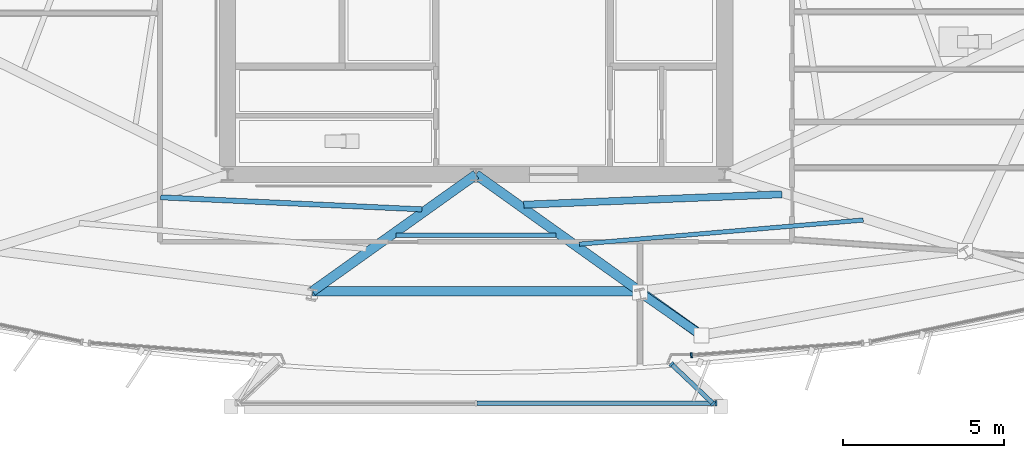
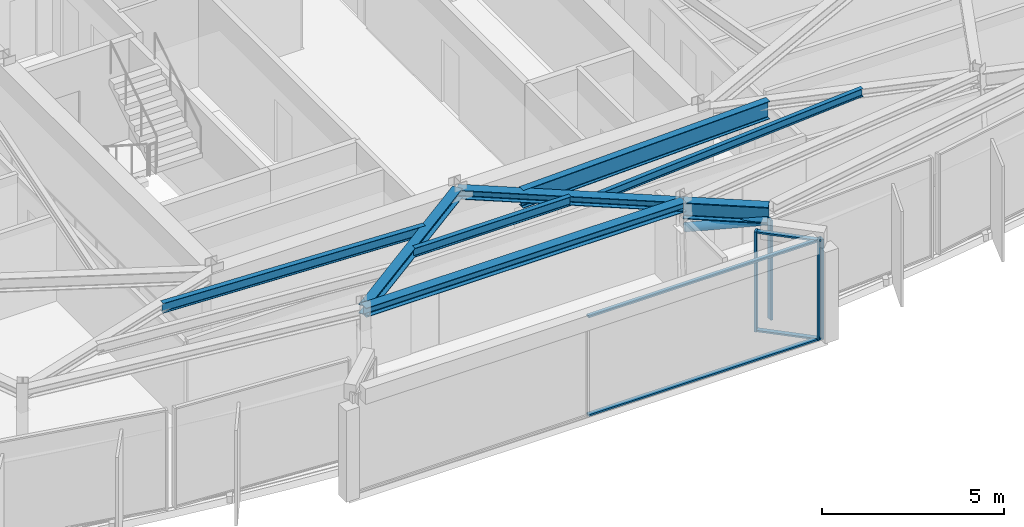
# One storey, part 3 of 13: 9 members, 8 beams, 3 elements without a shape of their own.
"""IFC4 building model written with IfcOpenShell, lengths in metres."""

import ifcopenshell
import ifcopenshell.guid

model = None  # the IFC model being written
_history = None  # IfcOwnerHistory: only IFC2X3 demands one
_inside = {}  # id of a spatial element -> (the spatial element, [elements in it])
_under = {}  # id of a project, library or spatial element -> (it, [spatial elements below it])
_declared = {}  # id of a project -> (the project, [libraries it declares])
_typed = {}  # id of a type object -> (the type object, [elements of that type])
_made_of = {}  # id of a material, layer set ... -> (it, [elements and type objects made of it])


def new_model(schema):
    """Start an empty IFC model of exactly this schema.

    Asked for "IFC4X3", IfcOpenShell would pick the latest addendum, in which some entities
    have other attributes; the version numbers below select the first issue.
    IFC2X3 requires an IfcOwnerHistory on every rooted entity: one is made here for all.
    """
    global model, _history
    if schema == "IFC4X3":
        model = ifcopenshell.file(schema_version=(4, 3, 0, 0))
    else:
        model = ifcopenshell.file(schema=schema)
    _inside.clear()
    _under.clear()
    _declared.clear()
    _typed.clear()
    _made_of.clear()
    _history = None
    if model.schema == "IFC2X3":
        org = make("IfcOrganization", Name="unknown")
        user = make(
            "IfcPersonAndOrganization",
            ThePerson=make("IfcPerson", FamilyName="unknown"),
            TheOrganization=org,
        )
        app = make(
            "IfcApplication",
            ApplicationDeveloper=org,
            Version="unknown",
            ApplicationFullName="unknown",
            ApplicationIdentifier="unknown",
        )
        _history = make(
            "IfcOwnerHistory",
            OwningUser=user,
            OwningApplication=app,
            ChangeAction="ADDED",
            CreationDate=0,
        )
    return model


def make(cls, **values):
    """One entity of the class cls with the attributes given. An attribute that is None is left unset."""
    return model.create_entity(
        cls, **{name: value for name, value in values.items() if value is not None}
    )


def rooted(cls, **values):
    """An entity with a GlobalId (a new one), such as an element, a storey or a relation."""
    return make(cls, GlobalId=ifcopenshell.guid.new(), OwnerHistory=_history, **values)


def si_unit(unit_type, name, prefix=None):
    """IfcSIUnit, for example si_unit("LENGTHUNIT", "METRE", prefix="MILLI")."""
    return make("IfcSIUnit", UnitType=unit_type, Prefix=prefix, Name=name)


def assignment(units):
    """IfcUnitAssignment: the units of a project."""
    return None if units is None else make("IfcUnitAssignment", Units=units)


def point(xyz):
    """IfcCartesianPoint."""
    return None if xyz is None else make("IfcCartesianPoint", Coordinates=xyz)


def direction(xyz):
    """IfcDirection."""
    return None if xyz is None else make("IfcDirection", DirectionRatios=xyz)


def frame(location, z_axis=None, x_axis=None):
    """IfcAxis2Placement3D, a coordinate frame: its origin and axes. An axis left out is left unset."""
    return make(
        "IfcAxis2Placement3D",
        Location=point(location),
        Axis=direction(z_axis),
        RefDirection=direction(x_axis),
    )


def frame_2d(location, x_axis=None):
    """IfcAxis2Placement2D, a coordinate frame in the plane: its origin and x axis."""
    return make(
        "IfcAxis2Placement2D", Location=point(location), RefDirection=direction(x_axis)
    )


def origin():
    """The frame at (0, 0, 0) with its axes left unset."""
    return frame((0.0, 0.0, 0.0))


def origin_2d():
    """The frame at (0, 0) in the plane with its x axis left unset."""
    return frame_2d((0.0, 0.0))


def place(relative_to, where):
    """IfcLocalPlacement: puts the frame where relative to a parent placement (None: the world)."""
    return make(
        "IfcLocalPlacement", PlacementRelTo=relative_to, RelativePlacement=where
    )


def context(
    kind, dimensions, precision=None, world=None, true_north=None, identifier=None
):
    """IfcGeometricRepresentationContext, for example the 3D "Model" context."""
    return make(
        "IfcGeometricRepresentationContext",
        ContextIdentifier=identifier,
        ContextType=kind,
        CoordinateSpaceDimension=dimensions,
        Precision=precision,
        WorldCoordinateSystem=world,
        TrueNorth=true_north,
    )


def subcontext(parent, identifier, kind, view, scale=None):
    """IfcGeometricRepresentationSubContext, for example "Body" below "Model"."""
    return make(
        "IfcGeometricRepresentationSubContext",
        ContextIdentifier=identifier,
        ContextType=kind,
        ParentContext=parent,
        TargetScale=scale,
        TargetView=view,
    )


def project(units=None, contexts=None):
    """IfcProject with its units and contexts."""
    return rooted(
        "IfcProject",
        Name="project",
        RepresentationContexts=contexts,
        UnitsInContext=assignment(units),
    )


def spatial(cls, under=None, at=None, **own):
    """A site, building, storey or space (cls), placed at a placement, below another one or the project."""
    s = rooted(cls, ObjectPlacement=at, **own)
    if under is not None:
        _under.setdefault(under.id(), (under, []))[1].append(s)
    return s


def profile(cls, at=None, kind="AREA", **sizes):
    """A parametric profile (cls). Its sizes go by their IFC names, for example OverallWidth=200.0."""
    return make(cls, ProfileType=kind, Position=at, **sizes)


def rectangle(**sizes):
    """IfcRectangleProfileDef."""
    return profile("IfcRectangleProfileDef", **sizes)


def hollow_circle(**sizes):
    """IfcCircleHollowProfileDef."""
    return profile("IfcCircleHollowProfileDef", **sizes)


def i_section(**sizes):
    """IfcIShapeProfileDef."""
    return profile("IfcIShapeProfileDef", **sizes)


def extrude(swept, where, along, depth):
    """IfcExtrudedAreaSolid: the profile swept, set in the frame where, extruded along a direction by depth."""
    return make(
        "IfcExtrudedAreaSolid",
        SweptArea=swept,
        Position=where,
        ExtrudedDirection=direction(along),
        Depth=depth,
    )


def shape(context_of_items, identifier, shape_type, items):
    """IfcShapeRepresentation: the items that make up one representation, for example the "Body"."""
    return make(
        "IfcShapeRepresentation",
        ContextOfItems=context_of_items,
        RepresentationIdentifier=identifier,
        RepresentationType=shape_type,
        Items=items,
    )


def material(Name=None, Category=None):
    """IfcMaterial."""
    return make("IfcMaterial", Name=Name, Category=Category)


def material_profile(
    of_material, cross_section, Name=None, Category=None, Priority=None
):
    """IfcMaterialProfile: a cross section and its material."""
    return make(
        "IfcMaterialProfile",
        Name=Name,
        Material=of_material,
        Profile=cross_section,
        Priority=Priority,
        Category=Category,
    )


def profile_set(profiles, Name=None, composite=None):
    """IfcMaterialProfileSet."""
    return make(
        "IfcMaterialProfileSet",
        Name=Name,
        MaterialProfiles=profiles,
        CompositeProfile=composite,
    )


def made_of(thing, what):
    """Note that an element or type object is made of a material, layer set ...; save() writes the relation."""
    if what is not None:
        _made_of.setdefault(what.id(), (what, []))[1].append(thing)
    return thing


def type_object(cls, material=None, **own):
    """A type object (cls), such as IfcWallType, which elements share."""
    return made_of(rooted(cls, **own), material)


def element(
    cls,
    number,
    at=None,
    inside=None,
    cuts=None,
    type_object=None,
    material=None,
    context=None,
    identifier="Body",
    shape_type=None,
    held_by="IfcProductDefinitionShape",
    body=None,
    shapes=None,
    **own,
):
    """One element of the class cls, such as IfcWall. Its Tag is "e" and its number.

    at: its placement. inside: the storey or other place that contains it. cuts: it is an
    opening in that element (IfcRelVoidsElement). A single representation is given by context,
    identifier, shape_type and body (its items); several are given by shapes. held_by: the class
    of the entity that holds the representations. save() writes the other relations.
    """
    e = rooted(cls, Tag="e%d" % number, ObjectPlacement=at, **own)
    if body is not None:
        shapes = [shape(context, identifier, shape_type, body)]
    if shapes is not None:
        e.Representation = make(held_by, Representations=shapes)
    if inside is not None:
        _inside.setdefault(inside.id(), (inside, []))[1].append(e)
    if cuts is not None:
        rooted(
            "IfcRelVoidsElement", RelatingBuildingElement=cuts, RelatedOpeningElement=e
        )
    if type_object is not None:
        _typed.setdefault(type_object.id(), (type_object, []))[1].append(e)
    return made_of(e, material)


def aggregate(whole, parts):
    """IfcRelAggregates: a whole, such as a stair, and the parts it consists of."""
    return rooted("IfcRelAggregates", RelatingObject=whole, RelatedObjects=parts)


def save(model, path):
    """Write the relations noted so far, then the file.

    IfcRelAggregates (storeys below a building ...), IfcRelContainedInSpatialStructure (elements
    in a storey), IfcRelDefinesByType, IfcRelAssociatesMaterial and IfcRelDeclares: one each for
    every whole, place, type object, material and project.
    """
    for whole, parts in _under.values():
        aggregate(whole, parts)
    for where, things in _inside.values():
        rooted(
            "IfcRelContainedInSpatialStructure",
            RelatedElements=things,
            RelatingStructure=where,
        )
    for kind, things in _typed.values():
        rooted("IfcRelDefinesByType", RelatedObjects=things, RelatingType=kind)
    for what, things in _made_of.values():
        rooted("IfcRelAssociatesMaterial", RelatedObjects=things, RelatingMaterial=what)
    for by, libraries in _declared.values():
        rooted("IfcRelDeclares", RelatingContext=by, RelatedDefinitions=libraries)
    model.write(path)


model = new_model("IFC4")

# Units and contexts
model_context = context("Model", 3, precision=1e-05, world=origin(), true_north=direction((0.0, 1.0)))
body_context = subcontext(model_context, "Body", "Model", "MODEL_VIEW")
ifc_project = project(units=[si_unit("LENGTHUNIT", "METRE"), si_unit("AREAUNIT", "SQUARE_METRE"), si_unit("VOLUMEUNIT", "CUBIC_METRE"), si_unit("PLANEANGLEUNIT", "RADIAN"), si_unit("MASSUNIT", "GRAM", prefix="KILO")], contexts=[model_context])

# Site, building, storey
site_placement = place(None, origin())
site = spatial("IfcSite", under=ifc_project, at=site_placement, CompositionType="ELEMENT")
building_placement = place(site_placement, origin())
building = spatial("IfcBuilding", under=site, at=building_placement, Name="Savorim Split Tower", CompositionType="ELEMENT")
storey_placement = place(building_placement, frame((0.0, 0.0, 286.800048828125)))
storey = spatial("IfcBuildingStorey", under=building, at=storey_placement, Name="L76", CompositionType="ELEMENT", Elevation=286.800048828125)

# Beams
ifc_material_1 = material(Name="Steel S355", Category="steel")
ifc_material_profile_1 = material_profile(ifc_material_1, i_section(OverallWidth=0.135009765625, OverallDepth=0.27001953125, WebThickness=0.006591796875, FlangeThickness=0.01025390625, FilletRadius=0.014892578125, at=origin_2d()), Name="IPE 270")
ifc_profile_set_1 = profile_set([ifc_material_profile_1], Name="Steel S355")
beam_type_1 = type_object("IfcBeamType", Name="BM-JST-IPE270", PredefinedType="JOIST", material=ifc_profile_set_1)
beam_1_placement = place(storey_placement, frame((3.1982421875, -11.553466796875, 3.21484375), z_axis=(0.996409293494, 0.084667111911, 0.0), x_axis=(-0.084667111911, 0.996409293494, 0.0)))
element("IfcBeam", 1, at=beam_1_placement, inside=storey, type_object=beam_type_1, Name="L76 Secondary Floor Joist JS-04", PredefinedType="JOIST", context=body_context, shape_type="SweptSolid", body=[
    extrude(i_section(OverallWidth=0.135009765625, OverallDepth=0.27001953125, WebThickness=0.006591796875, FlangeThickness=0.01025390625, FilletRadius=0.014892578125, at=origin_2d()), origin(), (0.0, 0.0, 1.0), 8.82080078125),
])
ifc_material_profile_2 = material_profile(ifc_material_1, i_section(OverallWidth=0.14990234375, OverallDepth=0.300048828125, WebThickness=0.007080078125, FlangeThickness=0.0107421875, FilletRadius=0.014892578125, at=origin_2d()), Name="IPE 300")
ifc_profile_set_2 = profile_set([ifc_material_profile_2], Name="Steel S355")
beam_type_2 = type_object("IfcBeamType", Name="BM-JST-IPE300", PredefinedType="JOIST", material=ifc_profile_set_2)
beam_2_placement = place(storey_placement, frame((-2.4736328125, -11.278076171875, 3.199951171875), z_axis=(1.0, 0.0, 0.0), x_axis=(0.0, 1.0, 0.0)))
element("IfcBeam", 2, at=beam_2_placement, inside=storey, type_object=beam_type_2, Name="L76 Secondary Floor Joist JS-03", PredefinedType="JOIST", context=body_context, shape_type="SweptSolid", body=[
    extrude(i_section(OverallWidth=0.14990234375, OverallDepth=0.300048828125, WebThickness=0.007080078125, FlangeThickness=0.0107421875, FilletRadius=0.014892578125, at=origin_2d()), origin(), (0.0, 0.0, 1.0), 4.947265625),
])
ifc_material_profile_3 = material_profile(ifc_material_1, i_section(OverallWidth=0.159912109375, OverallDepth=0.330078125, WebThickness=0.007568359375, FlangeThickness=0.011474609375, FilletRadius=0.01806640625, at=origin_2d()), Name="IPE 330")
ifc_profile_set_3 = profile_set([ifc_material_profile_3], Name="Steel S355")
beam_type_3 = type_object("IfcBeamType", Name="BM-JST-IPE330", PredefinedType="JOIST", material=ifc_profile_set_3)
beam_3_placement = place(storey_placement, frame((-9.763671875, -10.10400390625, 3.18505859375), z_axis=(0.998942628967, -0.045974167015, 0.0), x_axis=(0.045974167015, 0.998942628967, 0.0)))
element("IfcBeam", 3, at=beam_3_placement, inside=storey, type_object=beam_type_3, Name="L76 Secondary Floor Joist JS-02", PredefinedType="JOIST", context=body_context, shape_type="SweptSolid", body=[
    extrude(i_section(OverallWidth=0.159912109375, OverallDepth=0.330078125, WebThickness=0.007568359375, FlangeThickness=0.011474609375, FilletRadius=0.01806640625, at=origin_2d()), origin(), (0.0, 0.0, 1.0), 8.093017578125),
])
ifc_material_profile_4 = material_profile(ifc_material_1, i_section(OverallWidth=0.219970703125, OverallDepth=0.60009765625, WebThickness=0.011962890625, FlangeThickness=0.01904296875, FilletRadius=0.02392578125, at=origin_2d()), Name="IPE 600")
ifc_profile_set_4 = profile_set([ifc_material_profile_4], Name="Steel S355")
beam_type_4 = type_object("IfcBeamType", Name="BM-JST-IPE600", PredefinedType="JOIST", material=ifc_profile_set_4)
beam_4_placement = place(storey_placement, frame((1.476806640625, -10.33251953125, 3.050048828125), z_axis=(0.999187638231, 0.040299672527, 0.0), x_axis=(-0.040299672527, 0.999187638231, 0.0)))
element("IfcBeam", 4, at=beam_4_placement, inside=storey, type_object=beam_type_4, Name="L76 Secondary Floor Joist JS-05", PredefinedType="JOIST", context=body_context, shape_type="SweptSolid", body=[
    extrude(i_section(OverallWidth=0.219970703125, OverallDepth=0.60009765625, WebThickness=0.011962890625, FlangeThickness=0.01904296875, FilletRadius=0.02392578125, at=origin_2d()), origin(), (0.0, 0.0, 1.0), 7.996826171875),
])
ifc_material_profile_5 = material_profile(ifc_material_1, i_section(OverallWidth=0.300048828125, OverallDepth=0.300048828125, WebThickness=0.010986328125, FlangeThickness=0.01904296875, FilletRadius=0.027099609375, at=origin_2d()), Name="HEB 300")
ifc_profile_set_5 = profile_set([ifc_material_profile_5], Name="Steel S355")
beam_type_5 = type_object("IfcBeamType", Name="BM-PRI-HEB300", PredefinedType="BEAM", material=ifc_profile_set_5)
for number, where, z_axis, x_axis, name in (
    (5, (-5.064697265625, -13.01171875, 3.199951171875), (0.814176088086, 0.580618030713, 0.0), (-0.580618030713, 0.814176088086, 0.0), "L76 Primary Floor Girder RG-02"),
    (6, (5.064697265625, -13.01171875, 3.199951171875), (-0.814176088086, 0.580618030713, 0.0), (-0.580618030713, -0.814176088086, 0.0), "L76 Primary Floor Girder RG-03"),
):
    element("IfcBeam", number, at=place(storey_placement, frame(where, z_axis=z_axis, x_axis=x_axis)), inside=storey, type_object=beam_type_5, Name=name, PredefinedType="BEAM", context=body_context, shape_type="SweptSolid", body=[
        extrude(i_section(OverallWidth=0.300048828125, OverallDepth=0.300048828125, WebThickness=0.010986328125, FlangeThickness=0.01904296875, FilletRadius=0.027099609375, at=origin_2d()), origin(), (0.0, 0.0, 1.0), 6.220703125),
    ])
ifc_material_profile_6 = material_profile(ifc_material_1, i_section(OverallWidth=0.300048828125, OverallDepth=0.550048828125, WebThickness=0.014892578125, FlangeThickness=0.029052734375, FilletRadius=0.027099609375, at=origin_2d()), Name="HEB 550")
ifc_profile_set_6 = profile_set([ifc_material_profile_6], Name="Steel S355")
beam_type_6 = type_object("IfcBeamType", Name="BM-PRI-HEB550", PredefinedType="BEAM", material=ifc_profile_set_6)
beam_5_placement = place(storey_placement, frame((5.064697265625, -13.01171875, 3.074951171875), z_axis=(0.814133420523, -0.580677856981, 0.0), x_axis=(0.580677856981, 0.814133420523, 0.0)))
element("IfcBeam", 7, at=beam_5_placement, inside=storey, type_object=beam_type_6, Name="L76 Cantilevered Lounge Rib 1", PredefinedType="BEAM", context=body_context, shape_type="SweptSolid", body=[
    extrude(i_section(OverallWidth=0.300048828125, OverallDepth=0.550048828125, WebThickness=0.014892578125, FlangeThickness=0.029052734375, FilletRadius=0.027099609375, at=origin_2d()), origin(), (0.0, 0.0, 1.0), 2.349853515625),
])
ifc_material_profile_7 = material_profile(ifc_material_1, i_section(OverallWidth=0.300048828125, OverallDepth=0.31005859375, WebThickness=0.009033203125, FlangeThickness=0.015380859375, FilletRadius=0.027099609375, at=origin_2d()), Name="HEA 320")
ifc_profile_set_7 = profile_set([ifc_material_profile_7], Name="Steel S355")
beam_type_7 = type_object("IfcBeamType", Name="BM-SPN-HEA320", PredefinedType="SPANDREL", material=ifc_profile_set_7)
beam_6_placement = place(storey_placement, frame((-5.064697265625, -13.01171875, 3.195068359375), z_axis=(1.0, 0.0, 0.0), x_axis=(0.0, 1.0, 0.0)))
element("IfcBeam", 8, at=beam_6_placement, inside=storey, type_object=beam_type_7, Name="L76 Perimeter Spandrel Beam 2", PredefinedType="SPANDREL", context=body_context, shape_type="SweptSolid", body=[
    extrude(i_section(OverallWidth=0.300048828125, OverallDepth=0.31005859375, WebThickness=0.009033203125, FlangeThickness=0.015380859375, FilletRadius=0.027099609375, at=origin_2d()), origin(), (0.0, 0.0, 1.0), 10.12939453125),
])

# Curtain wall, member
ifc_material_2 = material(Name="Dark Ceramic-Fritted Insulated Glass", Category="glass")
curtain_wall_type_1 = type_object("IfcCurtainWallType", Name="CW-TWR-FRIT-B", PredefinedType="NOTDEFINED", material=ifc_material_2)
curtain_wall_1_placement = place(storey_placement, origin())
curtain_wall_1 = element("IfcCurtainWall", 9, at=curtain_wall_1_placement, inside=storey, type_object=curtain_wall_type_1, Name="L76 Curtain Wall CW-L76-SF3A", PredefinedType="NOTDEFINED")
ifc_material_3 = material(Name="Charcoal Anodised Aluminium", Category="aluminium")
ifc_material_profile_8 = material_profile(ifc_material_3, rectangle(XDim=0.159912109375, YDim=0.06005859375, at=origin_2d()), Name="ALU-M 160x60")
ifc_profile_set_8 = profile_set([ifc_material_profile_8], Name="Charcoal Anodised Aluminium")
member_type_1 = type_object("IfcMemberType", Name="CWM-160x60", PredefinedType="MULLION", material=ifc_profile_set_8)
member_1_placement = place(storey_placement, frame((6.667236328125, -14.990234375, 0.0), z_axis=(0.0, 0.0, 1.0), x_axis=(-0.071549884359, 0.997437022598, 0.0)))
member_1 = element("IfcMember", 10, at=member_1_placement, type_object=member_type_1, Name="CW-03 mullion 1", PredefinedType="MULLION", context=body_context, shape_type="SweptSolid", body=[
    extrude(rectangle(XDim=0.159912109375, YDim=0.06005859375, at=origin_2d()), origin(), (0.0, 0.0, 1.0), 3.349853515625),
])
aggregate(curtain_wall_1, [member_1])

curtain_wall_type_2 = type_object("IfcCurtainWallType", Name="CW-BAY-LOUNGE", PredefinedType="NOTDEFINED", material=ifc_material_2)
curtain_wall_2_placement = place(storey_placement, origin())
curtain_wall_2 = element("IfcCurtainWall", 11, at=curtain_wall_2_placement, inside=storey, type_object=curtain_wall_type_2, Name="L76 Curtain Wall CW-L76-BAYF", PredefinedType="NOTDEFINED")
ifc_material_profile_9 = material_profile(ifc_material_3, rectangle(XDim=0.179931640625, YDim=0.06494140625, at=origin_2d()), Name="ALU-M 180x65")
ifc_profile_set_9 = profile_set([ifc_material_profile_9], Name="Charcoal Anodised Aluminium")
member_type_2 = type_object("IfcMemberType", Name="CWM-180x65", PredefinedType="MULLION", material=ifc_profile_set_9)
member_2_placement = place(storey_placement, frame((7.426025390625, -16.4794921875, 0.0), z_axis=(0.0, 0.0, 1.0), x_axis=(0.0, 1.0, 0.0)))
member_2 = element("IfcMember", 12, at=member_2_placement, type_object=member_type_2, Name="CW-04 mullion 3", PredefinedType="MULLION", context=body_context, shape_type="SweptSolid", body=[
    extrude(rectangle(XDim=0.179931640625, YDim=0.06494140625, at=origin_2d()), origin(), (0.0, 0.0, 1.0), 3.349853515625),
])

# Curtain wall, members
curtain_wall_3_placement = place(storey_placement, origin())
curtain_wall_3 = element("IfcCurtainWall", 13, at=curtain_wall_3_placement, inside=storey, type_object=curtain_wall_type_2, Name="L76 Curtain Wall CW-L76-BAYE", PredefinedType="NOTDEFINED")
member_3_placement = place(storey_placement, frame((7.33740234375, -16.48876953125, 0.0), z_axis=(0.0, 0.0, 1.0), x_axis=(-0.68774767108, -0.725949819839, 0.0)))
member_3 = element("IfcMember", 14, at=member_3_placement, type_object=member_type_2, Name="CW-04 mullion 1", PredefinedType="MULLION", context=body_context, shape_type="SweptSolid", body=[
    extrude(rectangle(XDim=0.179931640625, YDim=0.06494140625, at=origin_2d()), origin(), (0.0, 0.0, 1.0), 3.349853515625),
])
member_4_placement = place(storey_placement, frame((6.052490234375, -15.271484375, 0.0), z_axis=(0.0, 0.0, 1.0), x_axis=(-0.68774767108, -0.725949819839, 0.0)))
member_4 = element("IfcMember", 15, at=member_4_placement, type_object=member_type_2, Name="CW-04 mullion 2", PredefinedType="MULLION", context=body_context, shape_type="SweptSolid", body=[
    extrude(rectangle(XDim=0.179931640625, YDim=0.06494140625, at=origin_2d()), origin(), (0.0, 0.0, 1.0), 3.349853515625),
])

# Member
ifc_material_profile_10 = material_profile(ifc_material_3, rectangle(XDim=0.139892578125, YDim=0.054931640625, at=origin_2d()), Name="ALU-T 140x55")
ifc_profile_set_10 = profile_set([ifc_material_profile_10], Name="Charcoal Anodised Aluminium")
member_type_3 = type_object("IfcMemberType", Name="CWT-140x55", PredefinedType="USERDEFINED", material=ifc_profile_set_10)
member_5_placement = place(storey_placement, frame((0.032470703125, -16.4794921875, 0.02734375), z_axis=(1.0, 0.0, 0.0), x_axis=(0.0, 1.0, 0.0)))
member_5 = element("IfcMember", 16, at=member_5_placement, type_object=member_type_3, Name="CW-04 transom 2.1", ObjectType="TRANSOM", PredefinedType="USERDEFINED", context=body_context, shape_type="SweptSolid", body=[
    extrude(rectangle(XDim=0.139892578125, YDim=0.054931640625, at=origin_2d()), origin(), (0.0, 0.0, 1.0), 7.361083984375),
])

member_6_placement = place(storey_placement, frame((0.032470703125, -16.4794921875, 3.322509765625), z_axis=(1.0, 0.0, 0.0), x_axis=(0.0, 1.0, 0.0)))
member_6 = element("IfcMember", 17, at=member_6_placement, type_object=member_type_3, Name="CW-04 transom 2.2", ObjectType="TRANSOM", PredefinedType="USERDEFINED", context=body_context, shape_type="SweptSolid", body=[
    extrude(rectangle(XDim=0.139892578125, YDim=0.054931640625, at=origin_2d()), origin(), (0.0, 0.0, 1.0), 7.361083984375),
])

aggregate(curtain_wall_2, [member_2, member_5, member_6])

member_7_placement = place(storey_placement, frame((7.313720703125, -16.46630859375, 0.02734375), z_axis=(-0.725896236465, 0.687804226424, 0.0), x_axis=(-0.687804226424, -0.725896236465, 0.0)))
member_7 = element("IfcMember", 18, at=member_7_placement, type_object=member_type_3, Name="CW-04 transom 1.1", ObjectType="TRANSOM", PredefinedType="USERDEFINED", context=body_context, shape_type="SweptSolid", body=[
    extrude(rectangle(XDim=0.139892578125, YDim=0.054931640625, at=origin_2d()), origin(), (0.0, 0.0, 1.0), 1.704833984375),
])

member_8_placement = place(storey_placement, frame((7.313720703125, -16.46630859375, 3.322509765625), z_axis=(-0.725896236465, 0.687804226424, 0.0), x_axis=(-0.687804226424, -0.725896236465, 0.0)))
member_8 = element("IfcMember", 19, at=member_8_placement, type_object=member_type_3, Name="CW-04 transom 1.2", ObjectType="TRANSOM", PredefinedType="USERDEFINED", context=body_context, shape_type="SweptSolid", body=[
    extrude(rectangle(XDim=0.139892578125, YDim=0.054931640625, at=origin_2d()), origin(), (0.0, 0.0, 1.0), 1.704833984375),
])

aggregate(curtain_wall_3, [member_3, member_4, member_7, member_8])

ifc_material_profile_11 = material_profile(ifc_material_1, hollow_circle(Radius=0.136474609375, WallThickness=0.01611328125, at=origin_2d()), Name="CHS 273x16")
ifc_profile_set_11 = profile_set([ifc_material_profile_11], Name="Steel S355")
member_type_4 = type_object("IfcMemberType", Name="MBR-CRN-CHS273", PredefinedType="BRACE", material=ifc_profile_set_11)
member_9_placement = place(storey_placement, frame((5.072509765625, -13.05224609375, 2.449951171875), z_axis=(0.810940992356, -0.563522937154, 0.157532873451), x_axis=(0.570648196859, 0.821194639182, 0.0)))
element("IfcMember", 20, at=member_9_placement, inside=storey, type_object=member_type_4, Name="L76 Cantilevered Bay Support Strut 1", PredefinedType="BRACE", context=body_context, shape_type="SweptSolid", body=[
    extrude(hollow_circle(Radius=0.136474609375, WallThickness=0.01611328125, at=origin_2d()), origin(), (0.0, 0.0, 1.0), 2.349365234375),
])

save(model, "model.ifc")
